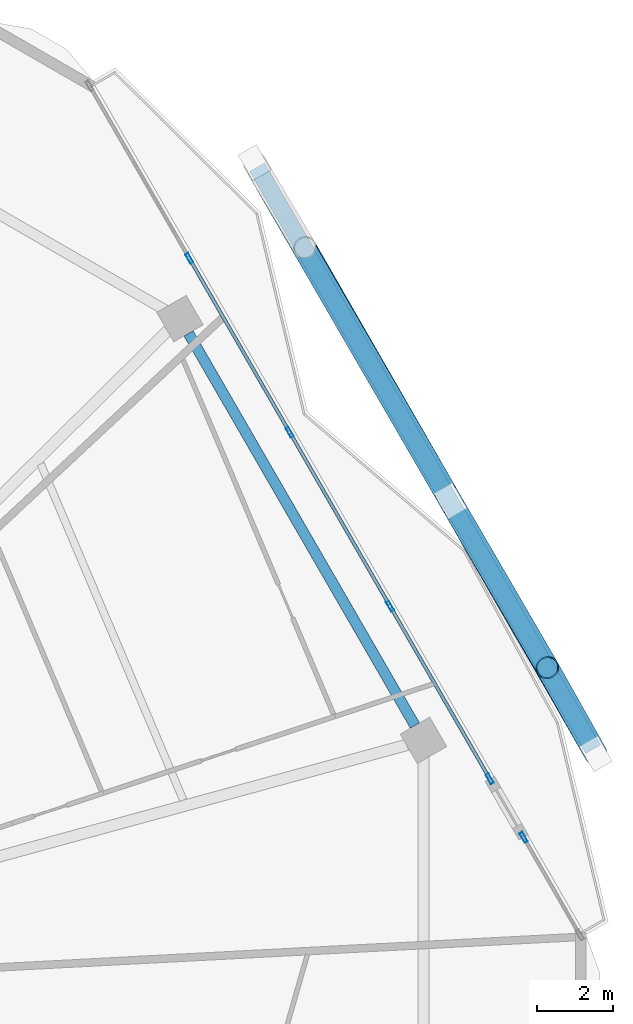
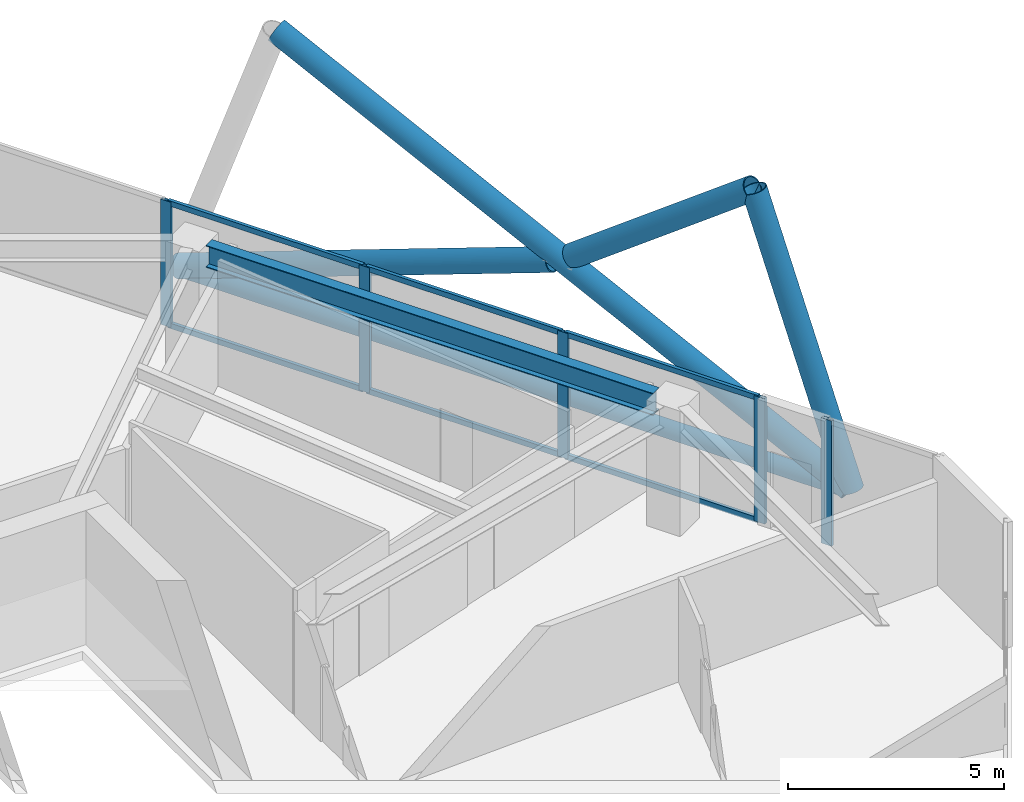
# One storey, part 17 of 27: 16 members, 1 beam, 2 elements without a shape of their own.
"""IFC4 building model written with IfcOpenShell, lengths in metres."""

from ifc_helpers import new_model, si_unit, direction, frame, origin, origin_2d, place, context, subcontext, project, spatial, hollow_rectangle, hollow_circle, i_section, extrude, material, material_profile, profile_set, type_object, element, aggregate, save


model = new_model("IFC4")

# Units and contexts
model_context = context("Model", 3, precision=1e-05, world=origin(), true_north=direction((0.0, 1.0)))
body_context = subcontext(model_context, "Body", "Model", "MODEL_VIEW")
ifc_project = project(units=[si_unit("LENGTHUNIT", "METRE"), si_unit("AREAUNIT", "SQUARE_METRE"), si_unit("VOLUMEUNIT", "CUBIC_METRE"), si_unit("PLANEANGLEUNIT", "RADIAN"), si_unit("MASSUNIT", "GRAM", prefix="KILO")], contexts=[model_context])

# Site, building, storey
site_placement = place(None, origin())
site = spatial("IfcSite", under=ifc_project, at=site_placement, CompositionType="ELEMENT")
building_placement = place(site_placement, origin())
building = spatial("IfcBuilding", under=site, at=building_placement, Name="Zuhravey Tower", CompositionType="ELEMENT")
storey_placement = place(building_placement, frame((0.0, 0.0, 261.60009765625)))
storey = spatial("IfcBuildingStorey", under=building, at=storey_placement, Name="L66", CompositionType="ELEMENT", Elevation=261.60009765625)

# Curtain wall, members
ifc_material_1 = material(Name="Thermally broken anodised aluminium", Category="aluminium")
curtain_wall_type = type_object("IfcCurtainWallType", Name="Zone 3-4 High-Rise Curtain Wall CW4", PredefinedType="NOTDEFINED", material=ifc_material_1)
curtain_wall_1_placement = place(storey_placement, origin())
curtain_wall_1 = element("IfcCurtainWall", 1, at=curtain_wall_1_placement, inside=storey, type_object=curtain_wall_type, Name="L66 CW4 CW-L66-F1-1", PredefinedType="NOTDEFINED")
ifc_material_2 = material(Name="Anodised aluminium", Category="aluminium")
ifc_material_profile_1 = material_profile(ifc_material_2, hollow_rectangle(XDim=0.090087890625, YDim=0.284912109375, WallThickness=0.0048828125, at=origin_2d()), Name="ALU-RHS-90x285x5")
ifc_profile_set_1 = profile_set([ifc_material_profile_1], Name="Anodised aluminium")
member_type_1 = type_object("IfcMemberType", Name="Curtain-Wall Mullion 90x180", PredefinedType="MULLION", material=ifc_profile_set_1)
member_1_placement = place(storey_placement, frame((54.2890625, 51.449462890625, 0.0), z_axis=(0.0, 0.0, 1.0), x_axis=(0.866025672705, 0.499999534216, 0.0)))
member_1 = element("IfcMember", 2, at=member_1_placement, type_object=member_type_1, Name="CW4 mullion 2", PredefinedType="MULLION", context=body_context, shape_type="SweptSolid", body=[
    extrude(hollow_rectangle(XDim=0.090087890625, YDim=0.284912109375, WallThickness=0.0048828125, at=origin_2d()), origin(), (0.0, 0.0, 1.0), 3.5498046875),
])
member_2_placement = place(storey_placement, frame((56.946044921875, 46.84765625, 0.0), z_axis=(0.0, 0.0, 1.0), x_axis=(0.866025672705, 0.499999534216, 0.0)))
member_2 = element("IfcMember", 3, at=member_2_placement, type_object=member_type_1, Name="CW4 mullion 3", PredefinedType="MULLION", context=body_context, shape_type="SweptSolid", body=[
    extrude(hollow_rectangle(XDim=0.090087890625, YDim=0.284912109375, WallThickness=0.0048828125, at=origin_2d()), origin(), (0.0, 0.0, 1.0), 3.5498046875),
])
member_3_placement = place(storey_placement, frame((59.602783203125, 42.24609375, 0.0), z_axis=(0.0, 0.0, 1.0), x_axis=(0.866025672705, 0.499999534216, 0.0)))
member_3 = element("IfcMember", 4, at=member_3_placement, type_object=member_type_1, Name="CW4 mullion 4", PredefinedType="MULLION", context=body_context, shape_type="SweptSolid", body=[
    extrude(hollow_rectangle(XDim=0.090087890625, YDim=0.284912109375, WallThickness=0.0048828125, at=origin_2d()), origin(), (0.0, 0.0, 1.0), 3.5498046875),
])
member_4_placement = place(storey_placement, frame((62.237060546875, 37.683349609375, 0.0), z_axis=(0.0, 0.0, 1.0), x_axis=(0.866025672705, 0.499999534216, 0.0)))
member_4 = element("IfcMember", 5, at=member_4_placement, type_object=member_type_1, Name="CW4 mullion 5", PredefinedType="MULLION", context=body_context, shape_type="SweptSolid", body=[
    extrude(hollow_rectangle(XDim=0.090087890625, YDim=0.284912109375, WallThickness=0.0048828125, at=origin_2d()), origin(), (0.0, 0.0, 1.0), 3.5498046875),
])

# Curtain wall, member
curtain_wall_2_placement = place(storey_placement, origin())
curtain_wall_2 = element("IfcCurtainWall", 6, at=curtain_wall_2_placement, inside=storey, type_object=curtain_wall_type, Name="L66 CW4 CW-L66-F1-2", PredefinedType="NOTDEFINED")
member_5_placement = place(storey_placement, frame((63.132080078125, 36.13330078125, 0.0), z_axis=(0.0, 0.0, 1.0), x_axis=(0.866022373964, 0.500005247766, 0.0)))
member_5 = element("IfcMember", 7, at=member_5_placement, type_object=member_type_1, Name="CW4 mullion 1", PredefinedType="MULLION", context=body_context, shape_type="SweptSolid", body=[
    extrude(hollow_rectangle(XDim=0.090087890625, YDim=0.284912109375, WallThickness=0.0048828125, at=origin_2d()), origin(), (0.0, 0.0, 1.0), 3.5498046875),
])
aggregate(curtain_wall_2, [member_5])

# Member
ifc_material_profile_2 = material_profile(ifc_material_2, hollow_rectangle(XDim=0.090087890625, YDim=0.14990234375, WallThickness=0.0048828125, at=origin_2d()), Name="ALU-RHS-90x150x5")
ifc_profile_set_2 = profile_set([ifc_material_profile_2], Name="Anodised aluminium")
member_type_2 = type_object("IfcMemberType", Name="Curtain-Wall Transom 90x150", PredefinedType="USERDEFINED", material=ifc_profile_set_2)
member_6_placement = place(storey_placement, frame((54.311767578125, 51.410400390625, 0.044921875), z_axis=(0.499974650348, -0.866040038918, 0.0), x_axis=(0.866040038918, 0.499974650348, 0.0)))
member_6 = element("IfcMember", 8, at=member_6_placement, type_object=member_type_2, Name="CW4 transom 2.1", ObjectType="TRANSOM", PredefinedType="USERDEFINED", context=body_context, shape_type="SweptSolid", body=[
    extrude(hollow_rectangle(XDim=0.090087890625, YDim=0.14990234375, WallThickness=0.0048828125, at=origin_2d()), origin(), (0.0, 0.0, 1.0), 5.223388671875),
])

member_7_placement = place(storey_placement, frame((54.311767578125, 51.410400390625, 3.5048828125), z_axis=(0.499974650348, -0.866040038918, 0.0), x_axis=(0.866040038918, 0.499974650348, 0.0)))
member_7 = element("IfcMember", 9, at=member_7_placement, type_object=member_type_2, Name="CW4 transom 2.2", ObjectType="TRANSOM", PredefinedType="USERDEFINED", context=body_context, shape_type="SweptSolid", body=[
    extrude(hollow_rectangle(XDim=0.090087890625, YDim=0.14990234375, WallThickness=0.0048828125, at=origin_2d()), origin(), (0.0, 0.0, 1.0), 5.223388671875),
])

member_8_placement = place(storey_placement, frame((56.968505859375, 46.808837890625, 0.044921875), z_axis=(0.500009705085, -0.866019800479, 0.0), x_axis=(0.866019800479, 0.500009705085, 0.0)))
member_8 = element("IfcMember", 10, at=member_8_placement, type_object=member_type_2, Name="CW4 transom 3.1", ObjectType="TRANSOM", PredefinedType="USERDEFINED", context=body_context, shape_type="SweptSolid", body=[
    extrude(hollow_rectangle(XDim=0.090087890625, YDim=0.14990234375, WallThickness=0.0048828125, at=origin_2d()), origin(), (0.0, 0.0, 1.0), 5.2236328125),
])

member_9_placement = place(storey_placement, frame((56.968505859375, 46.808837890625, 3.5048828125), z_axis=(0.500009705085, -0.866019800479, 0.0), x_axis=(0.866019800479, 0.500009705085, 0.0)))
member_9 = element("IfcMember", 11, at=member_9_placement, type_object=member_type_2, Name="CW4 transom 3.2", ObjectType="TRANSOM", PredefinedType="USERDEFINED", context=body_context, shape_type="SweptSolid", body=[
    extrude(hollow_rectangle(XDim=0.090087890625, YDim=0.14990234375, WallThickness=0.0048828125, at=origin_2d()), origin(), (0.0, 0.0, 1.0), 5.2236328125),
])

member_10_placement = place(storey_placement, frame((59.625244140625, 42.20703125, 0.044921875), z_axis=(0.500023085885, -0.866012074733, 0.0), x_axis=(0.866012074733, 0.500023085885, 0.0)))
member_10 = element("IfcMember", 12, at=member_10_placement, type_object=member_type_2, Name="CW4 transom 4.1", ObjectType="TRANSOM", PredefinedType="USERDEFINED", context=body_context, shape_type="SweptSolid", body=[
    extrude(hollow_rectangle(XDim=0.090087890625, YDim=0.14990234375, WallThickness=0.0048828125, at=origin_2d()), origin(), (0.0, 0.0, 1.0), 5.178466796875),
])

member_11_placement = place(storey_placement, frame((59.625244140625, 42.20703125, 3.5048828125), z_axis=(0.500023085885, -0.866012074733, 0.0), x_axis=(0.866012074733, 0.500023085885, 0.0)))
member_11 = element("IfcMember", 13, at=member_11_placement, type_object=member_type_2, Name="CW4 transom 4.2", ObjectType="TRANSOM", PredefinedType="USERDEFINED", context=body_context, shape_type="SweptSolid", body=[
    extrude(hollow_rectangle(XDim=0.090087890625, YDim=0.14990234375, WallThickness=0.0048828125, at=origin_2d()), origin(), (0.0, 0.0, 1.0), 5.178466796875),
])

aggregate(curtain_wall_1, [member_1, member_2, member_3, member_4, member_6, member_7, member_8, member_9, member_10, member_11])

# Members
ifc_material_3 = material(Name="Steel SM355", Category="steel")
ifc_material_profile_3 = material_profile(ifc_material_3, hollow_circle(Radius=0.228515625, WallThickness=0.02197265625, at=origin_2d()), Name="CHS-457.2x22")
ifc_profile_set_3 = profile_set([ifc_material_profile_3], Name="Steel SM355")
member_type_3 = type_object("IfcMemberType", Name="Exoskeleton Ring Tie CHS457x22", PredefinedType="CHORD", material=ifc_profile_set_3)
member_12_placement = place(storey_placement, frame((64.973388671875, 38.463623046875, -0.464111328125), z_axis=(-0.499995467921, 0.866028020366, 0.0), x_axis=(-0.866028020366, -0.499995467921, 0.0)))
element("IfcMember", 14, at=member_12_placement, inside=storey, type_object=member_type_3, Name="L66 Exoskeleton Face 1 Tie EXR1", PredefinedType="CHORD", context=body_context, shape_type="SweptSolid", body=[
    extrude(hollow_circle(Radius=0.228515625, WallThickness=0.02197265625, at=origin_2d()), origin(), (0.0, 0.0, 1.0), 17.778076171875),
])
ifc_material_profile_4 = material_profile(ifc_material_3, hollow_circle(Radius=0.3046875, WallThickness=0.028076171875, at=origin_2d()), Name="CHS-609.6x28")
ifc_profile_set_4 = profile_set([ifc_material_profile_4], Name="Steel SM355")
member_type_4 = type_object("IfcMemberType", Name="Exoskeleton Zone 3 Diagrid CHS610x28", PredefinedType="BRACE", material=ifc_profile_set_4)
member_13_placement = place(storey_placement, frame((65.040283203125, 38.347900390625, -0.446044921875), z_axis=(-0.159795415744, 0.28422652237, 0.945346872364), x_axis=(-0.871682978645, -0.490070183485, 0.0)))
element("IfcMember", 15, at=member_13_placement, inside=storey, type_object=member_type_4, Name="L66 Face 1 Diagrid Brace 1", PredefinedType="BRACE", context=body_context, shape_type="SweptSolid", body=[
    extrude(hollow_circle(Radius=0.3046875, WallThickness=0.028076171875, at=origin_2d()), origin(), (0.0, 0.0, 1.0), 8.001220703125),
])
member_14_placement = place(storey_placement, frame((65.025146484375, 38.374267578125, -0.446044921875), z_axis=(-0.447064853147, 0.777836957805, 0.441704294923), x_axis=(-0.866998477081, -0.4983107873, 0.0)))
element("IfcMember", 16, at=member_14_placement, inside=storey, type_object=member_type_4, Name="L66 Face 1 Diagrid Brace 2", PredefinedType="BRACE", context=body_context, shape_type="SweptSolid", body=[
    extrude(hollow_circle(Radius=0.3046875, WallThickness=0.028076171875, at=origin_2d()), origin(), (0.0, 0.0, 1.0), 17.12451171875),
])
member_15_placement = place(storey_placement, frame((56.03369140625, 53.947998046875, -0.449951171875), z_axis=(0.470498054709, -0.812181779505, 0.344952659876), x_axis=(0.865293416564, 0.501265701251, 0.0)))
element("IfcMember", 17, at=member_15_placement, inside=storey, type_object=member_type_4, Name="L66 Face 1 Split Diagrid Brace 3A", PredefinedType="BRACE", context=body_context, shape_type="SweptSolid", body=[
    extrude(hollow_circle(Radius=0.3046875, WallThickness=0.028076171875, at=origin_2d()), origin(), (0.0, 0.0, 1.0), 10.679931640625),
])
member_16_placement = place(storey_placement, frame((61.316162109375, 44.829833984375, 3.51220703125), z_axis=(0.402897567593, -0.693131385907, 0.597697609079), x_axis=(0.864553683071, 0.502540475075, 0.0)))
element("IfcMember", 18, at=member_16_placement, inside=storey, type_object=member_type_4, Name="L66 Face 1 Split Diagrid Brace 3B", PredefinedType="BRACE", context=body_context, shape_type="SweptSolid", body=[
    extrude(hollow_circle(Radius=0.3046875, WallThickness=0.028076171875, at=origin_2d()), origin(), (0.0, 0.0, 1.0), 6.02197265625),
])

# Beam
ifc_material_profile_5 = material_profile(ifc_material_3, i_section(OverallWidth=0.280029296875, OverallDepth=0.6201171875, WebThickness=0.011962890625, FlangeThickness=0.02001953125, at=origin_2d()), Name="H-620x280x12x20")
ifc_profile_set_5 = profile_set([ifc_material_profile_5], Name="Steel SM355")
beam_type = type_object("IfcBeamType", Name="Perimeter Ring Beam H620x280", PredefinedType="BEAM", material=ifc_profile_set_5)
beam_placement = place(storey_placement, frame((60.258056640625, 39.09130859375, 3.239990234375), z_axis=(-0.500017744717, 0.866015158625, 0.0), x_axis=(-0.866015158625, -0.500017744717, 0.0)))
element("IfcBeam", 19, at=beam_placement, inside=storey, type_object=beam_type, Name="L66 PB3 BM-L66-PB-01", PredefinedType="BEAM", context=body_context, shape_type="SweptSolid", body=[
    extrude(i_section(OverallWidth=0.280029296875, OverallDepth=0.6201171875, WebThickness=0.011962890625, FlangeThickness=0.02001953125, at=origin_2d()), origin(), (0.0, 0.0, 1.0), 11.9755859375),
])

save(model, "model.ifc")
